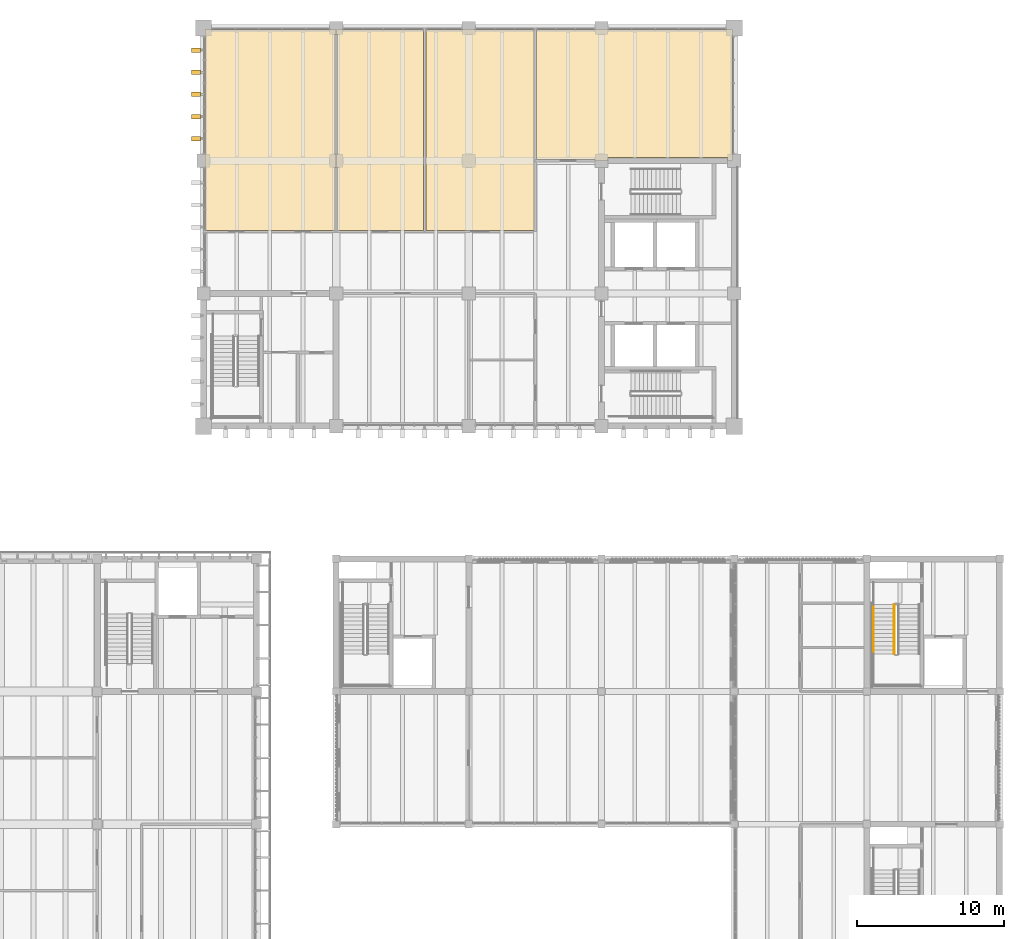
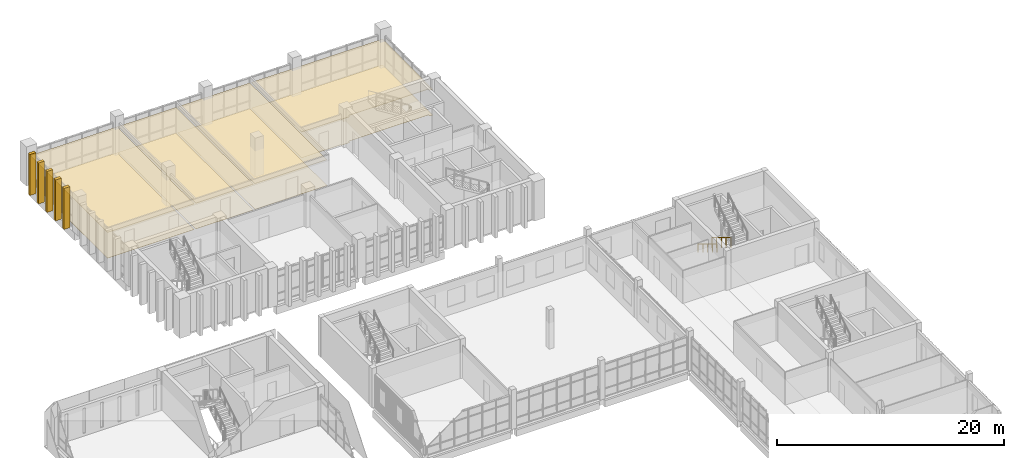
# One storey, part 91 of 92: 8 coverings, 5 shading devices, 2 railings.
"""IFC4 building model written with IfcOpenShell, lengths in metres."""

from ifc_helpers import new_model, si_unit, direction, frame, origin, origin_2d, place, context, subcontext, project, spatial, polyline, circle, outline, extrude, source, transform, mapped, material, layer, layer_set, type_object, element, save


model = new_model("IFC4")

# Units and contexts
model_context = context("Model", 3, precision=1e-05, world=origin(), true_north=direction((0.0, 1.0)))
body_context = subcontext(model_context, "Body", "Model", "MODEL_VIEW")
ifc_project = project(units=[si_unit("LENGTHUNIT", "METRE"), si_unit("AREAUNIT", "SQUARE_METRE"), si_unit("VOLUMEUNIT", "CUBIC_METRE"), si_unit("PLANEANGLEUNIT", "RADIAN"), si_unit("MASSUNIT", "GRAM", prefix="KILO")], contexts=[model_context])

# Site, building, storey
site_placement = place(None, origin())
site = spatial("IfcSite", under=ifc_project, at=site_placement, CompositionType="ELEMENT")
building_placement = place(site_placement, origin())
building = spatial("IfcBuilding", under=site, at=building_placement, Name="Merrow Basin Faculty of Sciences", CompositionType="ELEMENT")
storey_placement = place(building_placement, frame((0.0, 0.0, 4.5)))
storey = spatial("IfcBuildingStorey", under=building, at=storey_placement, Name="L01", CompositionType="ELEMENT", Elevation=4.5)

# Coverings
ifc_material_1 = material(Name="Carpet tile floor")
ifc_layer_1 = layer(ifc_material_1, 0.02001953125)
ifc_layer_set_1 = layer_set([ifc_layer_1], Name="Carpet tile floor")
covering_type_1 = type_object("IfcCoveringType", Name="Carpet tile floor", PredefinedType="FLOORING", material=ifc_layer_set_1)
covering_1_placement = place(storey_placement, origin())
element("IfcCovering", 1, at=covering_1_placement, inside=storey, type_object=covering_type_1, Name="Floor finish L01-T-018", PredefinedType="FLOORING", context=body_context, shape_type="SweptSolid", body=[
    extrude(outline(polyline([(53.889892578125, 168.889892578125), (53.889892578125, 160.010009765625), (53.56005859375, 160.010009765625), (53.56005859375, 160.2099609375), (45.43994140625, 160.2099609375), (45.43994140625, 160.010009765625), (44.56005859375, 160.010009765625), (44.56005859375, 160.0849609375), (40.5849609375, 160.0849609375), (40.5849609375, 168.889892578125), (53.889892578125, 168.889892578125)])), origin(), (0.0, 0.0, 1.0), 0.02001953125),
])
ifc_material_2 = material(Name="Laboratory sheet vinyl floor")
ifc_layer_2 = layer(ifc_material_2, 0.02001953125)
ifc_layer_set_2 = layer_set([ifc_layer_2], Name="Laboratory sheet vinyl floor")
covering_type_2 = type_object("IfcCoveringType", Name="Laboratory sheet vinyl floor", PredefinedType="FLOORING", material=ifc_layer_set_2)
covering_2_placement = place(storey_placement, origin())
element("IfcCovering", 2, at=covering_2_placement, inside=storey, type_object=covering_type_2, Name="Floor finish L01-T-014", PredefinedType="FLOORING", context=body_context, shape_type="SweptSolid", body=[
    extrude(outline(polyline([(18.110107421875, 168.889892578125), (26.989990234375, 168.889892578125), (26.989990234375, 168.56005859375), (26.9150390625, 168.56005859375), (26.9150390625, 160.43994140625), (26.989990234375, 160.43994140625), (26.989990234375, 159.56005859375), (26.9150390625, 159.56005859375), (26.9150390625, 155.284912109375), (18.110107421875, 155.284912109375), (18.110107421875, 168.889892578125)])), origin(), (0.0, 0.0, 1.0), 0.02001953125),
])
covering_3_placement = place(storey_placement, origin())
element("IfcCovering", 3, at=covering_3_placement, inside=storey, type_object=covering_type_2, Name="Floor finish L01-T-015", PredefinedType="FLOORING", context=body_context, shape_type="SweptSolid", body=[
    extrude(outline(polyline([(27.010009765625, 160.43994140625), (27.0849609375, 160.43994140625), (27.0849609375, 168.56005859375), (27.010009765625, 168.56005859375), (27.010009765625, 168.889892578125), (32.9150390625, 168.889892578125), (32.9150390625, 155.284912109375), (27.0849609375, 155.284912109375), (27.0849609375, 159.56005859375), (27.010009765625, 159.56005859375), (27.010009765625, 160.43994140625)])), origin(), (0.0, 0.0, 1.0), 0.02001953125),
])
covering_4_placement = place(storey_placement, origin())
element("IfcCovering", 4, at=covering_4_placement, inside=storey, type_object=covering_type_2, Name="Floor finish L01-T-016", PredefinedType="FLOORING", context=body_context, shape_type="SweptSolid", body=[
    extrude(outline(polyline([(40.4150390625, 168.889892578125), (40.4150390625, 155.284912109375), (33.0849609375, 155.284912109375), (33.0849609375, 168.889892578125), (40.4150390625, 168.889892578125)])), origin(), (0.0, 0.0, 1.0), 0.02001953125),
])

# Railings
ifc_material_3 = material(Name="Steel ASTM A36", Category="steel")
railing_type_1 = type_object("IfcRailingType", Name="Steel guard 1100", PredefinedType="GUARDRAIL", material=ifc_material_3)
railing_1_placement = place(storey_placement, frame((64.85009765625, 129.89990234375, 0.173095703125)))
element("IfcRailing", 5, at=railing_1_placement, inside=storey, type_object=railing_type_1, Name="L01 ST-V2-N stair guard 1", PredefinedType="GUARDRAIL", context=body_context, shape_type="SweptSolid", body=[
    extrude(circle(Radius=0.02392578125, at=origin_2d()), frame((0.0, 0.0, 1.076171875), z_axis=(0.0, -0.850606129759, 0.525803396734), x_axis=(1.0, 0.0, 0.0)), (0.0, 0.0, 1.0), 3.949951171875),
    extrude(circle(Radius=0.02099609375, at=origin_2d()), origin(), (0.0, 0.0, 1.0), 1.052001953125),
    extrude(circle(Radius=0.02099609375, at=origin_2d()), frame((0.0, -0.83984375, 0.519287109375)), (0.0, 0.0, 1.0), 1.052001953125),
    extrude(circle(Radius=0.02099609375, at=origin_2d()), frame((0.0, -1.679931640625, 1.03857421875)), (0.0, 0.0, 1.0), 1.052001953125),
    extrude(circle(Radius=0.02099609375, at=origin_2d()), frame((0.0, -2.52001953125, 1.5576171875)), (0.0, 0.0, 1.0), 1.052001953125),
    extrude(circle(Radius=0.02099609375, at=origin_2d()), frame((0.0, -3.35986328125, 2.076904296875)), (0.0, 0.0, 1.0), 1.052001953125),
])
ifc_material_4 = material(Name="Steel ASTM A36", Category="steel")
railing_type_2 = type_object("IfcRailingType", Name="Steel handrail 900", PredefinedType="HANDRAIL", material=ifc_material_4)
railing_2_placement = place(storey_placement, frame((63.449951171875, 129.89990234375, 0.173095703125)))
element("IfcRailing", 6, at=railing_2_placement, inside=storey, type_object=railing_type_2, Name="L01 ST-V2-N stair handrail 1", PredefinedType="HANDRAIL", context=body_context, shape_type="SweptSolid", body=[
    extrude(circle(Radius=0.02392578125, at=origin_2d()), frame((0.0, 0.0, 0.8759765625), z_axis=(0.0, -0.850606129759, 0.525803396734), x_axis=(1.0, 0.0, 0.0)), (0.0, 0.0, 1.0), 3.949951171875),
    extrude(circle(Radius=0.02099609375, at=origin_2d()), origin(), (0.0, 0.0, 1.0), 0.851806640625),
    extrude(circle(Radius=0.02099609375, at=origin_2d()), frame((0.0, -0.83984375, 0.519287109375)), (0.0, 0.0, 1.0), 0.851806640625),
    extrude(circle(Radius=0.02099609375, at=origin_2d()), frame((0.0, -1.679931640625, 1.03857421875)), (0.0, 0.0, 1.0), 0.851806640625),
    extrude(circle(Radius=0.02099609375, at=origin_2d()), frame((0.0, -2.52001953125, 1.5576171875)), (0.0, 0.0, 1.0), 0.851806640625),
    extrude(circle(Radius=0.02099609375, at=origin_2d()), frame((0.0, -3.35986328125, 2.076904296875)), (0.0, 0.0, 1.0), 0.851806640625),
])

# Coverings
ifc_material_5 = material(Name="Mineral fibre ceiling tile")
ifc_layer_3 = layer(ifc_material_5, 0.050048828125)
ifc_layer_set_3 = layer_set([ifc_layer_3], Name="Suspended acoustic ceiling tile")
covering_type_3 = type_object("IfcCoveringType", Name="Suspended acoustic ceiling tile", PredefinedType="CEILING", material=ifc_layer_set_3)
covering_5_placement = place(storey_placement, frame((0.0, 0.0, 2.75)))
element("IfcCovering", 7, at=covering_5_placement, inside=storey, type_object=covering_type_3, Name="Ceiling L01-T-014", PredefinedType="CEILING", context=body_context, shape_type="SweptSolid", body=[
    extrude(outline(polyline([(18.110107421875, 168.889892578125), (26.989990234375, 168.889892578125), (26.989990234375, 168.56005859375), (26.9150390625, 168.56005859375), (26.9150390625, 160.43994140625), (26.989990234375, 160.43994140625), (26.989990234375, 159.56005859375), (26.9150390625, 159.56005859375), (26.9150390625, 155.284912109375), (18.110107421875, 155.284912109375), (18.110107421875, 168.889892578125)])), origin(), (0.0, 0.0, 1.0), 0.050048828125),
])
covering_6_placement = place(storey_placement, frame((0.0, 0.0, 2.75)))
element("IfcCovering", 8, at=covering_6_placement, inside=storey, type_object=covering_type_3, Name="Ceiling L01-T-015", PredefinedType="CEILING", context=body_context, shape_type="SweptSolid", body=[
    extrude(outline(polyline([(27.010009765625, 160.43994140625), (27.0849609375, 160.43994140625), (27.0849609375, 168.56005859375), (27.010009765625, 168.56005859375), (27.010009765625, 168.889892578125), (32.9150390625, 168.889892578125), (32.9150390625, 155.284912109375), (27.0849609375, 155.284912109375), (27.0849609375, 159.56005859375), (27.010009765625, 159.56005859375), (27.010009765625, 160.43994140625)])), origin(), (0.0, 0.0, 1.0), 0.050048828125),
])
covering_7_placement = place(storey_placement, frame((0.0, 0.0, 2.75)))
element("IfcCovering", 9, at=covering_7_placement, inside=storey, type_object=covering_type_3, Name="Ceiling L01-T-016", PredefinedType="CEILING", context=body_context, shape_type="SweptSolid", body=[
    extrude(outline(polyline([(40.4150390625, 168.889892578125), (40.4150390625, 155.284912109375), (33.0849609375, 155.284912109375), (33.0849609375, 168.889892578125), (40.4150390625, 168.889892578125)])), origin(), (0.0, 0.0, 1.0), 0.050048828125),
])
covering_8_placement = place(storey_placement, frame((0.0, 0.0, 2.75)))
element("IfcCovering", 10, at=covering_8_placement, inside=storey, type_object=covering_type_3, Name="Ceiling L01-T-018", PredefinedType="CEILING", context=body_context, shape_type="SweptSolid", body=[
    extrude(outline(polyline([(53.889892578125, 168.889892578125), (53.889892578125, 160.010009765625), (53.56005859375, 160.010009765625), (53.56005859375, 160.2099609375), (45.43994140625, 160.2099609375), (45.43994140625, 160.010009765625), (44.56005859375, 160.010009765625), (44.56005859375, 160.0849609375), (40.5849609375, 160.0849609375), (40.5849609375, 168.889892578125), (53.889892578125, 168.889892578125)])), origin(), (0.0, 0.0, 1.0), 0.050048828125),
])

# Shading devices
ifc_material_6 = material(Name="White precast concrete C50/60", Category="concrete")
shading_device_type = type_object("IfcShadingDeviceType", Name="White precast fin 300 x 600", PredefinedType="USERDEFINED", material=ifc_material_6)
shared_shape = source(origin(), body_context, "Body", "SweptSolid", [
    extrude(outline(polyline([(0.0, 0.0), (0.300048828125, 0.0), (0.300048828125, 4.39990234375), (0.0, 4.39990234375), (0.0, 0.0)])), origin(), (0.0, 0.0, 1.0), 0.60009765625),
])
for number, where, z_axis, x_axis, name in (
    (11, (17.800048828125, 161.64990234375, -0.25), (-1.0, 0.0, 0.0), (0.0, -1.0, 0.0), "Brise-soleil fin WL01"),
    (12, (17.800048828125, 163.14990234375, -0.25), (-1.0, 0.0, 0.0), (0.0, -1.0, 0.0), "Brise-soleil fin WL01"),
    (13, (17.800048828125, 164.64990234375, -0.25), (-1.0, 0.0, 0.0), (0.0, -1.0, 0.0), "Brise-soleil fin WL01"),
    (14, (17.800048828125, 166.14990234375, -0.25), (-1.0, 0.0, 0.0), (0.0, -1.0, 0.0), "Brise-soleil fin WL01"),
    (15, (17.800048828125, 167.64990234375, -0.25), (-1.0, 0.0, 0.0), (0.0, -1.0, 0.0), "Brise-soleil fin WL01"),
):
    element("IfcShadingDevice", number, at=place(storey_placement, frame(where, z_axis=z_axis, x_axis=x_axis)), inside=storey, type_object=shading_device_type, Name=name, ObjectType="FIN", PredefinedType="USERDEFINED", context=body_context, shape_type="MappedRepresentation", body=[
        mapped(shared_shape, transform((0.0, 0.0, 0.0), scale=1.0)),
    ])

save(model, "model.ifc")
